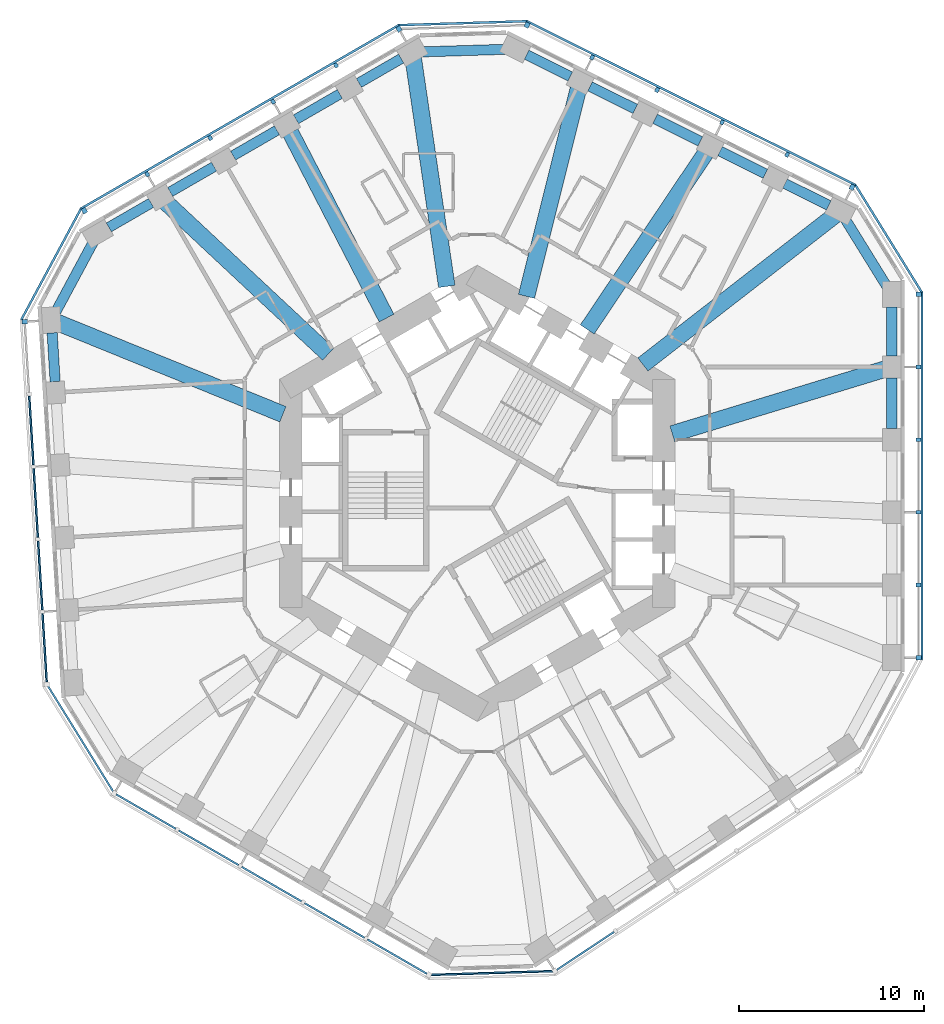
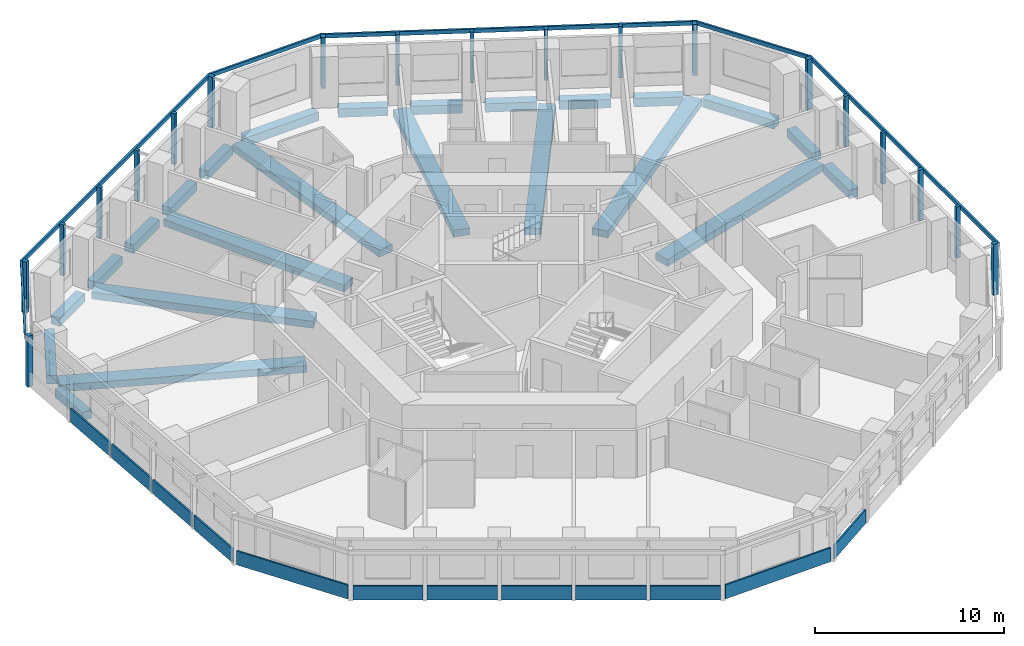
# One storey, part 2 of 12: 25 members, 24 beams, 12 plates, 11 elements without a shape of their own.
"""IFC4 building model written with IfcOpenShell, lengths in metres."""

from ifc_helpers import new_model, si_unit, direction, frame, origin, origin_2d, place, context, subcontext, project, spatial, rectangle, extrude, material, layer, layer_set, material_profile, profile_set, type_object, element, aggregate, save


model = new_model("IFC4")

# Units and contexts
model_context = context("Model", 3, precision=1e-05, world=origin(), true_north=direction((0.0, 1.0)))
body_context = subcontext(model_context, "Body", "Model", "MODEL_VIEW")
ifc_project = project(units=[si_unit("LENGTHUNIT", "METRE"), si_unit("AREAUNIT", "SQUARE_METRE"), si_unit("VOLUMEUNIT", "CUBIC_METRE"), si_unit("PLANEANGLEUNIT", "RADIAN"), si_unit("MASSUNIT", "GRAM", prefix="KILO")], contexts=[model_context])

# Site, building, storey
site_placement = place(None, origin())
site = spatial("IfcSite", under=ifc_project, at=site_placement, CompositionType="ELEMENT")
building_placement = place(site_placement, origin())
building = spatial("IfcBuilding", under=site, at=building_placement, Name="Vanh Sen Convention Tower", CompositionType="ELEMENT")
storey_placement = place(building_placement, frame((0.0, 0.0, 70.39990234375)))
storey = spatial("IfcBuildingStorey", under=building, at=storey_placement, Name="L15", CompositionType="ELEMENT", Elevation=70.39990234375)

# Curtain wall, members
ifc_material_1 = material(Name="Concrete C50/60", Category="concrete")
curtain_wall_type = type_object("IfcCurtainWallType", Name="Outer skin hotel zone", PredefinedType="NOTDEFINED", material=ifc_material_1)
curtain_wall_1_placement = place(storey_placement, origin())
curtain_wall_1 = element("IfcCurtainWall", 1, at=curtain_wall_1_placement, inside=storey, type_object=curtain_wall_type, Name="OUTER SKIN E L15", PredefinedType="NOTDEFINED")
ifc_material_profile_1 = material_profile(ifc_material_1, rectangle(XDim=0.25, YDim=0.300048828125, at=origin_2d()), Name="Outer skin precast corner fin 250 x 300")
ifc_profile_set_1 = profile_set([ifc_material_profile_1], Name="Concrete C50/60")
member_type_1 = type_object("IfcMemberType", Name="Outer skin precast corner fin 250 x 300", PredefinedType="MULLION", material=ifc_profile_set_1)
member_1_placement = place(storey_placement, frame((23.89990234375, -8.899169921875, 0.0), z_axis=(0.0, 0.0, 1.0), x_axis=(0.0, 1.0, 0.0)))
member_1 = element("IfcMember", 2, at=member_1_placement, type_object=member_type_1, Name="OUTER SKIN CORNER FIN 1 E L15", PredefinedType="MULLION", context=body_context, shape_type="SweptSolid", body=[
    extrude(rectangle(XDim=0.25, YDim=0.300048828125, at=origin_2d()), origin(), (0.0, 0.0, 1.0), 3.300048828125),
])
member_2_placement = place(storey_placement, frame((23.89990234375, 10.773681640625, 0.0), z_axis=(0.0, 0.0, 1.0), x_axis=(0.0, 1.0, 0.0)))
member_2 = element("IfcMember", 3, at=member_2_placement, type_object=member_type_1, Name="OUTER SKIN CORNER FIN 6 E L15", PredefinedType="MULLION", context=body_context, shape_type="SweptSolid", body=[
    extrude(rectangle(XDim=0.25, YDim=0.300048828125, at=origin_2d()), origin(), (0.0, 0.0, 1.0), 3.300048828125),
])

curtain_wall_2_placement = place(storey_placement, origin())
curtain_wall_2 = element("IfcCurtainWall", 4, at=curtain_wall_2_placement, inside=storey, type_object=curtain_wall_type, Name="OUTER SKIN NE L15", PredefinedType="NOTDEFINED")
member_3_placement = place(storey_placement, frame((20.305908203125, 16.581787109375, 0.0), z_axis=(0.0, 0.0, 1.0), x_axis=(-0.894934361602, 0.44619781311, 0.0)))
member_3 = element("IfcMember", 5, at=member_3_placement, type_object=member_type_1, Name="OUTER SKIN CORNER FIN 1 NE L15", PredefinedType="MULLION", context=body_context, shape_type="SweptSolid", body=[
    extrude(rectangle(XDim=0.25, YDim=0.300048828125, at=origin_2d()), origin(), (0.0, 0.0, 1.0), 3.300048828125),
])
member_4_placement = place(storey_placement, frame((2.699951171875, 25.35986328125, 0.0), z_axis=(0.0, 0.0, 1.0), x_axis=(-0.894934361602, 0.44619781311, 0.0)))
member_4 = element("IfcMember", 6, at=member_4_placement, type_object=member_type_1, Name="OUTER SKIN CORNER FIN 6 NE L15", PredefinedType="MULLION", context=body_context, shape_type="SweptSolid", body=[
    extrude(rectangle(XDim=0.25, YDim=0.300048828125, at=origin_2d()), origin(), (0.0, 0.0, 1.0), 3.300048828125),
])

curtain_wall_3_placement = place(storey_placement, origin())
curtain_wall_3 = element("IfcCurtainWall", 7, at=curtain_wall_3_placement, inside=storey, type_object=curtain_wall_type, Name="OUTER SKIN NW L15", PredefinedType="NOTDEFINED")
member_5_placement = place(storey_placement, frame((-4.242919921875, 25.147705078125, 0.0), z_axis=(0.0, 0.0, 1.0), x_axis=(-0.866025403784, -0.5, 0.0)))
member_5 = element("IfcMember", 8, at=member_5_placement, type_object=member_type_1, Name="OUTER SKIN CORNER FIN 1 NW L15", PredefinedType="MULLION", context=body_context, shape_type="SweptSolid", body=[
    extrude(rectangle(XDim=0.25, YDim=0.300048828125, at=origin_2d()), origin(), (0.0, 0.0, 1.0), 3.300048828125),
])
member_6_placement = place(storey_placement, frame((-21.2802734375, 15.31103515625, 0.0), z_axis=(0.0, 0.0, 1.0), x_axis=(-0.866025403784, -0.5, 0.0)))
member_6 = element("IfcMember", 9, at=member_6_placement, type_object=member_type_1, Name="OUTER SKIN CORNER FIN 6 NW L15", PredefinedType="MULLION", context=body_context, shape_type="SweptSolid", body=[
    extrude(rectangle(XDim=0.25, YDim=0.300048828125, at=origin_2d()), origin(), (0.0, 0.0, 1.0), 3.300048828125),
])

# Curtain wall, member
curtain_wall_4_placement = place(storey_placement, origin())
curtain_wall_4 = element("IfcCurtainWall", 10, at=curtain_wall_4_placement, inside=storey, type_object=curtain_wall_type, Name="OUTER SKIN W L15", PredefinedType="NOTDEFINED")
member_7_placement = place(storey_placement, frame((-24.51318359375, 9.294677734375, 0.0), z_axis=(0.0, 0.0, 1.0), x_axis=(0.061048539535, -0.998134798422, 0.0)))
member_7 = element("IfcMember", 11, at=member_7_placement, type_object=member_type_1, Name="OUTER SKIN CORNER FIN 1 W L15", PredefinedType="MULLION", context=body_context, shape_type="SweptSolid", body=[
    extrude(rectangle(XDim=0.25, YDim=0.300048828125, at=origin_2d()), origin(), (0.0, 0.0, 1.0), 3.300048828125),
])

# Member
ifc_material_profile_2 = material_profile(ifc_material_1, rectangle(XDim=0.199951171875, YDim=0.25, at=origin_2d()), Name="Outer skin precast fin 200 x 250")
ifc_profile_set_2 = profile_set([ifc_material_profile_2], Name="Concrete C50/60")
member_type_2 = type_object("IfcMemberType", Name="Outer skin precast fin 200 x 250", PredefinedType="MULLION", material=ifc_profile_set_2)
member_8_placement = place(storey_placement, frame((23.89990234375, -4.964599609375, 0.0), z_axis=(0.0, 0.0, 1.0), x_axis=(0.0, 1.0, 0.0)))
member_8 = element("IfcMember", 12, at=member_8_placement, type_object=member_type_2, Name="OUTER SKIN fin 2 E L15", PredefinedType="MULLION", context=body_context, shape_type="SweptSolid", body=[
    extrude(rectangle(XDim=0.199951171875, YDim=0.25, at=origin_2d()), origin(), (0.0, 0.0, 1.0), 3.300048828125),
])

member_9_placement = place(storey_placement, frame((23.89990234375, -1.030029296875, 0.0), z_axis=(0.0, 0.0, 1.0), x_axis=(0.0, 1.0, 0.0)))
member_9 = element("IfcMember", 13, at=member_9_placement, type_object=member_type_2, Name="OUTER SKIN fin 3 E L15", PredefinedType="MULLION", context=body_context, shape_type="SweptSolid", body=[
    extrude(rectangle(XDim=0.199951171875, YDim=0.25, at=origin_2d()), origin(), (0.0, 0.0, 1.0), 3.300048828125),
])

member_10_placement = place(storey_placement, frame((23.89990234375, 2.904541015625, 0.0), z_axis=(0.0, 0.0, 1.0), x_axis=(0.0, 1.0, 0.0)))
member_10 = element("IfcMember", 14, at=member_10_placement, type_object=member_type_2, Name="OUTER SKIN fin 4 E L15", PredefinedType="MULLION", context=body_context, shape_type="SweptSolid", body=[
    extrude(rectangle(XDim=0.199951171875, YDim=0.25, at=origin_2d()), origin(), (0.0, 0.0, 1.0), 3.300048828125),
])

member_11_placement = place(storey_placement, frame((23.89990234375, 6.839111328125, 0.0), z_axis=(0.0, 0.0, 1.0), x_axis=(0.0, 1.0, 0.0)))
member_11 = element("IfcMember", 15, at=member_11_placement, type_object=member_type_2, Name="OUTER SKIN fin 5 E L15", PredefinedType="MULLION", context=body_context, shape_type="SweptSolid", body=[
    extrude(rectangle(XDim=0.199951171875, YDim=0.25, at=origin_2d()), origin(), (0.0, 0.0, 1.0), 3.300048828125),
])

member_12_placement = place(storey_placement, frame((16.78466796875, 18.33740234375, 0.0), z_axis=(0.0, 0.0, 1.0), x_axis=(-0.894934361602, 0.44619781311, 0.0)))
member_12 = element("IfcMember", 16, at=member_12_placement, type_object=member_type_2, Name="OUTER SKIN fin 2 NE L15", PredefinedType="MULLION", context=body_context, shape_type="SweptSolid", body=[
    extrude(rectangle(XDim=0.199951171875, YDim=0.25, at=origin_2d()), origin(), (0.0, 0.0, 1.0), 3.300048828125),
])

member_13_placement = place(storey_placement, frame((13.263427734375, 20.093017578125, 0.0), z_axis=(0.0, 0.0, 1.0), x_axis=(-0.894934361602, 0.44619781311, 0.0)))
member_13 = element("IfcMember", 17, at=member_13_placement, type_object=member_type_2, Name="OUTER SKIN fin 3 NE L15", PredefinedType="MULLION", context=body_context, shape_type="SweptSolid", body=[
    extrude(rectangle(XDim=0.199951171875, YDim=0.25, at=origin_2d()), origin(), (0.0, 0.0, 1.0), 3.300048828125),
])

member_14_placement = place(storey_placement, frame((9.7421875, 21.8486328125, 0.0), z_axis=(0.0, 0.0, 1.0), x_axis=(-0.894934361602, 0.44619781311, 0.0)))
member_14 = element("IfcMember", 18, at=member_14_placement, type_object=member_type_2, Name="OUTER SKIN fin 4 NE L15", PredefinedType="MULLION", context=body_context, shape_type="SweptSolid", body=[
    extrude(rectangle(XDim=0.199951171875, YDim=0.25, at=origin_2d()), origin(), (0.0, 0.0, 1.0), 3.300048828125),
])

member_15_placement = place(storey_placement, frame((6.22119140625, 23.604248046875, 0.0), z_axis=(0.0, 0.0, 1.0), x_axis=(-0.894934361602, 0.44619781311, 0.0)))
member_15 = element("IfcMember", 19, at=member_15_placement, type_object=member_type_2, Name="OUTER SKIN fin 5 NE L15", PredefinedType="MULLION", context=body_context, shape_type="SweptSolid", body=[
    extrude(rectangle(XDim=0.199951171875, YDim=0.25, at=origin_2d()), origin(), (0.0, 0.0, 1.0), 3.300048828125),
])

member_16_placement = place(storey_placement, frame((-7.650390625, 23.180419921875, 0.0), z_axis=(0.0, 0.0, 1.0), x_axis=(-0.866025403784, -0.5, 0.0)))
member_16 = element("IfcMember", 20, at=member_16_placement, type_object=member_type_2, Name="OUTER SKIN fin 2 NW L15", PredefinedType="MULLION", context=body_context, shape_type="SweptSolid", body=[
    extrude(rectangle(XDim=0.199951171875, YDim=0.25, at=origin_2d()), origin(), (0.0, 0.0, 1.0), 3.300048828125),
])

member_17_placement = place(storey_placement, frame((-11.057861328125, 21.212890625, 0.0), z_axis=(0.0, 0.0, 1.0), x_axis=(-0.866025403784, -0.5, 0.0)))
member_17 = element("IfcMember", 21, at=member_17_placement, type_object=member_type_2, Name="OUTER SKIN fin 3 NW L15", PredefinedType="MULLION", context=body_context, shape_type="SweptSolid", body=[
    extrude(rectangle(XDim=0.199951171875, YDim=0.25, at=origin_2d()), origin(), (0.0, 0.0, 1.0), 3.300048828125),
])

member_18_placement = place(storey_placement, frame((-14.46533203125, 19.24560546875, 0.0), z_axis=(0.0, 0.0, 1.0), x_axis=(-0.866025403784, -0.5, 0.0)))
member_18 = element("IfcMember", 22, at=member_18_placement, type_object=member_type_2, Name="OUTER SKIN fin 4 NW L15", PredefinedType="MULLION", context=body_context, shape_type="SweptSolid", body=[
    extrude(rectangle(XDim=0.199951171875, YDim=0.25, at=origin_2d()), origin(), (0.0, 0.0, 1.0), 3.300048828125),
])

member_19_placement = place(storey_placement, frame((-17.872802734375, 17.2783203125, 0.0), z_axis=(0.0, 0.0, 1.0), x_axis=(-0.866025403784, -0.5, 0.0)))
member_19 = element("IfcMember", 23, at=member_19_placement, type_object=member_type_2, Name="OUTER SKIN fin 5 NW L15", PredefinedType="MULLION", context=body_context, shape_type="SweptSolid", body=[
    extrude(rectangle(XDim=0.199951171875, YDim=0.25, at=origin_2d()), origin(), (0.0, 0.0, 1.0), 3.300048828125),
])

ifc_material_profile_3 = material_profile(ifc_material_1, rectangle(XDim=0.1201171875, YDim=0.25, at=origin_2d()), Name="Outer skin precast spandrel band 250 x 120")
ifc_profile_set_3 = profile_set([ifc_material_profile_3], Name="Concrete C50/60")
member_type_3 = type_object("IfcMemberType", Name="Outer skin precast spandrel band 250 x 120", PredefinedType="USERDEFINED", material=ifc_profile_set_3)
member_20_placement = place(storey_placement, frame((24.0849609375, -9.024169921875, 3.175048828125), z_axis=(0.0, 1.0, 0.0), x_axis=(-1.0, 0.0, 0.0)))
member_20 = element("IfcMember", 24, at=member_20_placement, type_object=member_type_3, Name="OUTER SKIN spandrel band E L15", ObjectType="TRANSOM", PredefinedType="USERDEFINED", context=body_context, shape_type="SweptSolid", body=[
    extrude(rectangle(XDim=0.1201171875, YDim=0.25, at=origin_2d()), origin(), (0.0, 0.0, 1.0), 19.9228515625),
])

aggregate(curtain_wall_1, [member_1, member_8, member_9, member_10, member_11, member_2, member_20])

# Curtain wall, member
curtain_wall_5_placement = place(storey_placement, origin())
curtain_wall_5 = element("IfcCurtainWall", 25, at=curtain_wall_5_placement, inside=storey, type_object=curtain_wall_type, Name="OUTER SKIN CH1 L15", PredefinedType="NOTDEFINED")
member_21_placement = place(storey_placement, frame((24.07861328125, 10.88427734375, 3.175048828125), z_axis=(-0.526195864379, 0.850363400148, 0.0), x_axis=(-0.850363400148, -0.526195864379, 0.0)))
member_21 = element("IfcMember", 26, at=member_21_placement, type_object=member_type_3, Name="OUTER SKIN spandrel band CH1 L15", ObjectType="TRANSOM", PredefinedType="USERDEFINED", context=body_context, shape_type="SweptSolid", body=[
    extrude(rectangle(XDim=0.1201171875, YDim=0.25, at=origin_2d()), origin(), (0.0, 0.0, 1.0), 6.830078125),
])
aggregate(curtain_wall_5, [member_21])

# Member
member_22_placement = place(storey_placement, frame((20.500244140625, 16.69140625, 3.175048828125), z_axis=(-0.894931498167, 0.446203556227, 0.0), x_axis=(-0.446203556227, -0.894931498167, 0.0)))
member_22 = element("IfcMember", 27, at=member_22_placement, type_object=member_type_3, Name="OUTER SKIN spandrel band NE L15", ObjectType="TRANSOM", PredefinedType="USERDEFINED", context=body_context, shape_type="SweptSolid", body=[
    extrude(rectangle(XDim=0.1201171875, YDim=0.25, at=origin_2d()), origin(), (0.0, 0.0, 1.0), 19.9228515625),
])

aggregate(curtain_wall_2, [member_3, member_12, member_13, member_14, member_15, member_4, member_22])

# Curtain wall, member
curtain_wall_6_placement = place(storey_placement, origin())
curtain_wall_6 = element("IfcCurtainWall", 28, at=curtain_wall_6_placement, inside=storey, type_object=curtain_wall_type, Name="OUTER SKIN CH2 L15", PredefinedType="NOTDEFINED")
member_23_placement = place(storey_placement, frame((2.693603515625, 25.569580078125, 3.175048828125), z_axis=(-0.999533472857, -0.030542374483, 0.0), x_axis=(0.030542374483, -0.999533472857, 0.0)))
member_23 = element("IfcMember", 29, at=member_23_placement, type_object=member_type_3, Name="OUTER SKIN spandrel band CH2 L15", ObjectType="TRANSOM", PredefinedType="USERDEFINED", context=body_context, shape_type="SweptSolid", body=[
    extrude(rectangle(XDim=0.1201171875, YDim=0.25, at=origin_2d()), origin(), (0.0, 0.0, 1.0), 6.9462890625),
])
aggregate(curtain_wall_6, [member_23])

# Member
member_24_placement = place(storey_placement, frame((-4.227294921875, 25.370361328125, 3.175048828125), z_axis=(-0.866028047459, -0.499995420993, 0.0), x_axis=(0.499995420993, -0.866028047459, 0.0)))
member_24 = element("IfcMember", 30, at=member_24_placement, type_object=member_type_3, Name="OUTER SKIN spandrel band NW L15", ObjectType="TRANSOM", PredefinedType="USERDEFINED", context=body_context, shape_type="SweptSolid", body=[
    extrude(rectangle(XDim=0.1201171875, YDim=0.25, at=origin_2d()), origin(), (0.0, 0.0, 1.0), 19.923095703125),
])

aggregate(curtain_wall_3, [member_5, member_16, member_17, member_18, member_19, member_6, member_24])

# Curtain wall, member
curtain_wall_7_placement = place(storey_placement, origin())
curtain_wall_7 = element("IfcCurtainWall", 31, at=curtain_wall_7_placement, inside=storey, type_object=curtain_wall_type, Name="OUTER SKIN CH3 L15", PredefinedType="NOTDEFINED")
member_25_placement = place(storey_placement, frame((-21.46533203125, 15.410400390625, 3.175048828125), z_axis=(-0.473315186561, -0.880893145717, 0.0), x_axis=(0.880893145717, -0.473315186561, 0.0)))
member_25 = element("IfcMember", 32, at=member_25_placement, type_object=member_type_3, Name="OUTER SKIN spandrel band CH3 L15", ObjectType="TRANSOM", PredefinedType="USERDEFINED", context=body_context, shape_type="SweptSolid", body=[
    extrude(rectangle(XDim=0.1201171875, YDim=0.25, at=origin_2d()), origin(), (0.0, 0.0, 1.0), 6.829833984375),
])
aggregate(curtain_wall_7, [member_25])

# Beams
ifc_material_2 = material(Name="Concrete C50/60", Category="concrete")
ifc_material_profile_4 = material_profile(ifc_material_2, rectangle(XDim=0.89990234375, YDim=0.449951171875, at=origin_2d()), Name="RC 900X450")
ifc_profile_set_4 = profile_set([ifc_material_profile_4], Name="Concrete C50/60")
beam_type_1 = type_object("IfcBeamType", Name="Radial floor beam 900 x 450", PredefinedType="BEAM", material=ifc_profile_set_4)
beam_1_placement = place(storey_placement, frame((22.0859375, 6.728271484375, -0.474853515625), z_axis=(-0.956595291153, -0.291419712689, 0.0), x_axis=(0.291419712689, -0.956595291153, 0.0)))
element("IfcBeam", 33, at=beam_1_placement, inside=storey, type_object=beam_type_1, Name="Radial beam 03 L15", PredefinedType="BEAM", context=body_context, shape_type="SweptSolid", body=[
    extrude(rectangle(XDim=0.89990234375, YDim=0.449951171875, at=origin_2d()), origin(), (0.0, 0.0, 1.0), 12.04443359375),
])
beam_2_placement = place(storey_placement, frame((19.3955078125, 15.079345703125, -0.474853515625), z_axis=(-0.789464705625, -0.61379595842, 0.0), x_axis=(0.61379595842, -0.789464705625, 0.0)))
element("IfcBeam", 34, at=beam_2_placement, inside=storey, type_object=beam_type_1, Name="Radial beam 04 L15", PredefinedType="BEAM", context=body_context, shape_type="SweptSolid", body=[
    extrude(rectangle(XDim=0.89990234375, YDim=0.449951171875, at=origin_2d()), origin(), (0.0, 0.0, 1.0), 13.204345703125),
])
beam_3_placement = place(storey_placement, frame((12.37060546875, 18.42919921875, -0.474853515625), z_axis=(-0.557321786786, -0.830296589162, 0.0), x_axis=(0.830296589162, -0.557321786786, 0.0)))
element("IfcBeam", 35, at=beam_3_placement, inside=storey, type_object=beam_type_1, Name="Radial beam 05 L15", PredefinedType="BEAM", context=body_context, shape_type="SweptSolid", body=[
    extrude(rectangle(XDim=0.89990234375, YDim=0.449951171875, at=origin_2d()), origin(), (0.0, 0.0, 1.0), 11.507080078125),
])
beam_4_placement = place(storey_placement, frame((5.475341796875, 21.9111328125, -0.474853515625), z_axis=(-0.242431531098, -0.970168517697, 0.0), x_axis=(0.970168517697, -0.242431531098, 0.0)))
element("IfcBeam", 36, at=beam_4_placement, inside=storey, type_object=beam_type_1, Name="Radial beam 06 L15", PredefinedType="BEAM", context=body_context, shape_type="SweptSolid", body=[
    extrude(rectangle(XDim=0.89990234375, YDim=0.449951171875, at=origin_2d()), origin(), (0.0, 0.0, 1.0), 11.589111328125),
])
beam_5_placement = place(storey_placement, frame((-3.46630859375, 23.541259765625, -0.474853515625), z_axis=(0.145680012358, -0.989331761342, 0.0), x_axis=(0.989331761342, 0.145680012358, 0.0)))
element("IfcBeam", 37, at=beam_5_placement, inside=storey, type_object=beam_type_1, Name="Radial beam 07 L15", PredefinedType="BEAM", context=body_context, shape_type="SweptSolid", body=[
    extrude(rectangle(XDim=0.89990234375, YDim=0.449951171875, at=origin_2d()), origin(), (0.0, 0.0, 1.0), 12.468505859375),
])
beam_6_placement = place(storey_placement, frame((-10.114501953125, 19.53564453125, -0.474853515625), z_axis=(0.459772199707, -0.88803689359, 0.0), x_axis=(0.88803689359, 0.459772199707, 0.0)))
element("IfcBeam", 38, at=beam_6_placement, inside=storey, type_object=beam_type_1, Name="Radial beam 08 L15", PredefinedType="BEAM", context=body_context, shape_type="SweptSolid", body=[
    extrude(rectangle(XDim=0.89990234375, YDim=0.449951171875, at=origin_2d()), origin(), (0.0, 0.0, 1.0), 11.31298828125),
])
beam_7_placement = place(storey_placement, frame((-16.869873046875, 15.762939453125, -0.474853515625), z_axis=(0.730668926441, -0.68273195321, 0.0), x_axis=(0.68273195321, 0.730668926441, 0.0)))
element("IfcBeam", 39, at=beam_7_placement, inside=storey, type_object=beam_type_1, Name="Radial beam 09 L15", PredefinedType="BEAM", context=body_context, shape_type="SweptSolid", body=[
    extrude(rectangle(XDim=0.89990234375, YDim=0.449951171875, at=origin_2d()), origin(), (0.0, 0.0, 1.0), 12.044921875),
])
beam_8_placement = place(storey_placement, frame((-22.7568359375, 9.25732421875, -0.474853515625), z_axis=(0.926294416538, -0.376800549216, 0.0), x_axis=(0.376800549216, 0.926294416538, 0.0)))
element("IfcBeam", 40, at=beam_8_placement, inside=storey, type_object=beam_type_1, Name="Radial beam 10 L15", PredefinedType="BEAM", context=body_context, shape_type="SweptSolid", body=[
    extrude(rectangle(XDim=0.89990234375, YDim=0.449951171875, at=origin_2d()), origin(), (0.0, 0.0, 1.0), 13.2041015625),
])
ifc_material_profile_5 = material_profile(ifc_material_2, rectangle(XDim=0.550048828125, YDim=0.550048828125, at=origin_2d()), Name="RC 550X550")
ifc_profile_set_5 = profile_set([ifc_material_profile_5], Name="Concrete C50/60")
beam_type_2 = type_object("IfcBeamType", Name="Spandrel beam 550 x 550", PredefinedType="SPANDREL", material=ifc_profile_set_5)
beam_9_placement = place(storey_placement, frame((22.449951171875, 3.49951171875, -0.52490234375), z_axis=(0.0, 1.0, 0.0), x_axis=(-1.0, 0.0, 0.0)))
element("IfcBeam", 41, at=beam_9_placement, inside=storey, type_object=beam_type_2, Name="Spandrel beam 04 L15", PredefinedType="SPANDREL", context=body_context, shape_type="SweptSolid", body=[
    extrude(rectangle(XDim=0.550048828125, YDim=0.550048828125, at=origin_2d()), origin(), (0.0, 0.0, 1.0), 2.74462890625),
])
beam_10_placement = place(storey_placement, frame((22.449951171875, 7.43408203125, -0.52490234375), z_axis=(0.0, 1.0, 0.0), x_axis=(-1.0, 0.0, 0.0)))
element("IfcBeam", 42, at=beam_10_placement, inside=storey, type_object=beam_type_2, Name="Spandrel beam 05 L15", PredefinedType="SPANDREL", context=body_context, shape_type="SweptSolid", body=[
    extrude(rectangle(XDim=0.550048828125, YDim=0.550048828125, at=origin_2d()), origin(), (0.0, 0.0, 1.0), 2.64453125),
])
beam_11_placement = place(storey_placement, frame((22.1865234375, 11.199462890625, -0.52490234375), z_axis=(-0.526204199605, 0.850358242342, 0.0), x_axis=(-0.850358242342, -0.526204199605, 0.0)))
element("IfcBeam", 43, at=beam_11_placement, inside=storey, type_object=beam_type_2, Name="Spandrel beam 06 L15", PredefinedType="SPANDREL", context=body_context, shape_type="SweptSolid", body=[
    extrude(rectangle(XDim=0.550048828125, YDim=0.550048828125, at=origin_2d()), origin(), (0.0, 0.0, 1.0), 4.302734375),
])
beam_12_placement = place(storey_placement, frame((19.036865234375, 15.59423828125, -0.52490234375), z_axis=(-0.894943581597, 0.446179320183, 0.0), x_axis=(-0.446179320183, -0.894943581597, 0.0)))
element("IfcBeam", 44, at=beam_12_placement, inside=storey, type_object=beam_type_2, Name="Spandrel beam 07 L15", PredefinedType="SPANDREL", context=body_context, shape_type="SweptSolid", body=[
    extrude(rectangle(XDim=0.550048828125, YDim=0.550048828125, at=origin_2d()), origin(), (0.0, 0.0, 1.0), 2.64453125),
])
for number, where, z_axis, x_axis, name in (
    (45, (15.605224609375, 17.30517578125, -0.52490234375), (-0.894942515368, 0.44618145881, 0.0), (-0.44618145881, -0.894942515368, 0.0), "Spandrel beam 08 L15"),
    (46, (12.083984375, 19.060791015625, -0.52490234375), (-0.894942515368, 0.44618145881, 0.0), (-0.44618145881, -0.894942515368, 0.0), "Spandrel beam 09 L15"),
):
    element("IfcBeam", number, at=place(storey_placement, frame(where, z_axis=z_axis, x_axis=x_axis)), inside=storey, type_object=beam_type_2, Name=name, PredefinedType="SPANDREL", context=body_context, shape_type="SweptSolid", body=[
        extrude(rectangle(XDim=0.550048828125, YDim=0.550048828125, at=origin_2d()), origin(), (0.0, 0.0, 1.0), 2.74462890625),
    ])
beam_13_placement = place(storey_placement, frame((8.562744140625, 20.81640625, -0.52490234375), z_axis=(-0.894924804947, 0.44621698028, 0.0), x_axis=(-0.44621698028, -0.894924804947, 0.0)))
element("IfcBeam", 47, at=beam_13_placement, inside=storey, type_object=beam_type_2, Name="Spandrel beam 10 L15", PredefinedType="SPANDREL", context=body_context, shape_type="SweptSolid", body=[
    extrude(rectangle(XDim=0.550048828125, YDim=0.550048828125, at=origin_2d()), origin(), (0.0, 0.0, 1.0), 2.744384765625),
])
beam_14_placement = place(storey_placement, frame((5.04150390625, 22.572021484375, -0.52490234375), z_axis=(-0.894943581597, 0.446179320183, 0.0), x_axis=(-0.446179320183, -0.894943581597, 0.0)))
element("IfcBeam", 48, at=beam_14_placement, inside=storey, type_object=beam_type_2, Name="Spandrel beam 11 L15", PredefinedType="SPANDREL", context=body_context, shape_type="SweptSolid", body=[
    extrude(rectangle(XDim=0.550048828125, YDim=0.550048828125, at=origin_2d()), origin(), (0.0, 0.0, 1.0), 2.64453125),
])
beam_15_placement = place(storey_placement, frame((1.513671875, 24.045654296875, -0.52490234375), z_axis=(-0.999533924707, -0.030527583592, 0.0), x_axis=(0.030527583592, -0.999533924707, 0.0)))
element("IfcBeam", 49, at=beam_15_placement, inside=storey, type_object=beam_type_2, Name="Spandrel beam 12 L15", PredefinedType="SPANDREL", context=body_context, shape_type="SweptSolid", body=[
    extrude(rectangle(XDim=0.550048828125, YDim=0.550048828125, at=origin_2d()), origin(), (0.0, 0.0, 1.0), 4.49462890625),
])
beam_16_placement = place(storey_placement, frame((-4.119873046875, 23.54443359375, -0.52490234375), z_axis=(-0.866030315638, -0.499991492324, 0.0), x_axis=(0.499991492324, -0.866030315638, 0.0)))
element("IfcBeam", 50, at=beam_16_placement, inside=storey, type_object=beam_type_2, Name="Spandrel beam 13 L15", PredefinedType="SPANDREL", context=body_context, shape_type="SweptSolid", body=[
    extrude(rectangle(XDim=0.550048828125, YDim=0.550048828125, at=origin_2d()), origin(), (0.0, 0.0, 1.0), 2.64453125),
])
beam_17_placement = place(storey_placement, frame((-7.44091796875, 21.627197265625, -0.52490234375), z_axis=(-0.866006330792, -0.500033033937, 0.0), x_axis=(0.500033033937, -0.866006330792, 0.0)))
element("IfcBeam", 51, at=beam_17_placement, inside=storey, type_object=beam_type_2, Name="Spandrel beam 14 L15", PredefinedType="SPANDREL", context=body_context, shape_type="SweptSolid", body=[
    extrude(rectangle(XDim=0.550048828125, YDim=0.550048828125, at=origin_2d()), origin(), (0.0, 0.0, 1.0), 2.744384765625),
])
for number, where, z_axis, x_axis, name in (
    (52, (-10.84814453125, 19.659912109375, -0.52490234375), (-0.866028570666, -0.499994514761, 0.0), (0.499994514761, -0.866028570666, 0.0), "Spandrel beam 15 L15"),
    (53, (-14.255615234375, 17.6923828125, -0.52490234375), (-0.866067086513, -0.499927796446, 0.0), (0.499927796446, -0.866067086513, 0.0), "Spandrel beam 16 L15"),
):
    element("IfcBeam", number, at=place(storey_placement, frame(where, z_axis=z_axis, x_axis=x_axis)), inside=storey, type_object=beam_type_2, Name=name, PredefinedType="SPANDREL", context=body_context, shape_type="SweptSolid", body=[
        extrude(rectangle(XDim=0.550048828125, YDim=0.550048828125, at=origin_2d()), origin(), (0.0, 0.0, 1.0), 2.74462890625),
    ])
beam_18_placement = place(storey_placement, frame((-17.6630859375, 15.72509765625, -0.52490234375), z_axis=(-0.866030315638, -0.499991492324, 0.0), x_axis=(0.499991492324, -0.866030315638, 0.0)))
element("IfcBeam", 54, at=beam_18_placement, inside=storey, type_object=beam_type_2, Name="Spandrel beam 17 L15", PredefinedType="SPANDREL", context=body_context, shape_type="SweptSolid", body=[
    extrude(rectangle(XDim=0.550048828125, YDim=0.550048828125, at=origin_2d()), origin(), (0.0, 0.0, 1.0), 2.64453125),
])
beam_19_placement = place(storey_placement, frame((-20.792236328125, 13.6142578125, -0.52490234375), z_axis=(-0.473348459073, -0.88087526716, 0.0), x_axis=(0.88087526716, -0.473348459073, 0.0)))
element("IfcBeam", 55, at=beam_19_placement, inside=storey, type_object=beam_type_2, Name="Spandrel beam 18 L15", PredefinedType="SPANDREL", context=body_context, shape_type="SweptSolid", body=[
    extrude(rectangle(XDim=0.550048828125, YDim=0.550048828125, at=origin_2d()), origin(), (0.0, 0.0, 1.0), 4.302490234375),
])
beam_20_placement = place(storey_placement, frame((-23.0234375, 8.689453125, -0.52490234375), z_axis=(0.061113817246, -0.998130803723, 0.0), x_axis=(0.998130803723, 0.061113817246, 0.0)))
element("IfcBeam", 56, at=beam_20_placement, inside=storey, type_object=beam_type_2, Name="Spandrel beam 19 L15", PredefinedType="SPANDREL", context=body_context, shape_type="SweptSolid", body=[
    extrude(rectangle(XDim=0.550048828125, YDim=0.550048828125, at=origin_2d()), origin(), (0.0, 0.0, 1.0), 2.64453125),
])

# Plate
ifc_layer = layer(ifc_material_1, 0.10009765625)
ifc_layer_set = layer_set([ifc_layer], Name="Concrete C50/60")
plate_type = type_object("IfcPlateType", Name="Outer skin precast screen panel 100", PredefinedType="CURTAIN_PANEL", material=ifc_layer_set)
plate_1_placement = place(storey_placement, frame((-24.15283203125, 3.40380859375, 0.000244140625), z_axis=(0.0, 0.0, 1.0), x_axis=(0.061048539535, -0.998134798422, 0.0)))
plate_1 = element("IfcPlate", 57, at=plate_1_placement, type_object=plate_type, Name="OUTER SKIN screen panel W-2", PredefinedType="CURTAIN_PANEL", context=body_context, shape_type="SweptSolid", body=[
    extrude(rectangle(XDim=3.734619140625, YDim=0.10009765625, at=origin_2d()), origin(), (0.0, 0.0, 1.0), 0.89990234375),
])

plate_2_placement = place(storey_placement, frame((-23.91259765625, -0.523681640625, 0.000244140625), z_axis=(0.0, 0.0, 1.0), x_axis=(0.061046797461, -0.99813490497, 0.0)))
plate_2 = element("IfcPlate", 58, at=plate_2_placement, type_object=plate_type, Name="OUTER SKIN screen panel W-3", PredefinedType="CURTAIN_PANEL", context=body_context, shape_type="SweptSolid", body=[
    extrude(rectangle(XDim=3.734619140625, YDim=0.10009765625, at=origin_2d()), origin(), (0.0, 0.0, 1.0), 0.89990234375),
])

plate_3_placement = place(storey_placement, frame((-23.67236328125, -4.45068359375, 0.000244140625), z_axis=(0.0, 0.0, 1.0), x_axis=(0.061048539535, -0.998134798422, 0.0)))
plate_3 = element("IfcPlate", 59, at=plate_3_placement, type_object=plate_type, Name="OUTER SKIN screen panel W-4", PredefinedType="CURTAIN_PANEL", context=body_context, shape_type="SweptSolid", body=[
    extrude(rectangle(XDim=3.734619140625, YDim=0.10009765625, at=origin_2d()), origin(), (0.0, 0.0, 1.0), 0.89990234375),
])

plate_4_placement = place(storey_placement, frame((-23.43310546875, -8.365478515625, 0.000244140625), z_axis=(0.0, 0.0, 1.0), x_axis=(0.061046797461, -0.99813490497, 0.0)))
plate_4 = element("IfcPlate", 60, at=plate_4_placement, type_object=plate_type, Name="OUTER SKIN screen panel W-5", PredefinedType="CURTAIN_PANEL", context=body_context, shape_type="SweptSolid", body=[
    extrude(rectangle(XDim=3.709716796875, YDim=0.10009765625, at=origin_2d()), origin(), (0.0, 0.0, 1.0), 0.89990234375),
])

aggregate(curtain_wall_4, [member_7, plate_1, plate_2, plate_3, plate_4])

# Curtain wall, plate
curtain_wall_8_placement = place(storey_placement, origin())
curtain_wall_8 = element("IfcCurtainWall", 61, at=curtain_wall_8_placement, inside=storey, type_object=curtain_wall_type, Name="OUTER SKIN CH4 L15", PredefinedType="NOTDEFINED")
plate_5_placement = place(storey_placement, frame((-21.484619140625, -13.295166015625, 0.000244140625), z_axis=(0.0, 0.0, 1.0), x_axis=(0.526205018755, -0.850357735448, 0.0)))
plate_5 = element("IfcPlate", 62, at=plate_5_placement, type_object=plate_type, Name="OUTER SKIN screen panel CH4-1", PredefinedType="CURTAIN_PANEL", context=body_context, shape_type="SweptSolid", body=[
    extrude(rectangle(XDim=6.6962890625, YDim=0.10009765625, at=origin_2d()), origin(), (0.0, 0.0, 1.0), 0.89990234375),
])
aggregate(curtain_wall_8, [plate_5])

# Curtain wall, plates
curtain_wall_9_placement = place(storey_placement, origin())
curtain_wall_9 = element("IfcCurtainWall", 63, at=curtain_wall_9_placement, inside=storey, type_object=curtain_wall_type, Name="OUTER SKIN SW L15", PredefinedType="NOTDEFINED")
plate_6_placement = place(storey_placement, frame((-17.9423828125, -17.23828125, 0.000244140625), z_axis=(0.0, 0.0, 1.0), x_axis=(0.866028021766, -0.499995465495, 0.0)))
plate_6 = element("IfcPlate", 64, at=plate_6_placement, type_object=plate_type, Name="OUTER SKIN screen panel SW-1", PredefinedType="CURTAIN_PANEL", context=body_context, shape_type="SweptSolid", body=[
    extrude(rectangle(XDim=3.709716796875, YDim=0.10009765625, at=origin_2d()), origin(), (0.0, 0.0, 1.0), 0.89990234375),
])
plate_7_placement = place(storey_placement, frame((-14.5458984375, -19.19921875, 0.000244140625), z_axis=(0.0, 0.0, 1.0), x_axis=(0.866032385017, -0.499987907955, 0.0)))
plate_7 = element("IfcPlate", 65, at=plate_7_placement, type_object=plate_type, Name="OUTER SKIN screen panel SW-2", PredefinedType="CURTAIN_PANEL", context=body_context, shape_type="SweptSolid", body=[
    extrude(rectangle(XDim=3.734619140625, YDim=0.10009765625, at=origin_2d()), origin(), (0.0, 0.0, 1.0), 0.89990234375),
])
plate_8_placement = place(storey_placement, frame((-11.138427734375, -21.16650390625, 0.000244140625), z_axis=(0.0, 0.0, 1.0), x_axis=(0.866028021766, -0.499995465495, 0.0)))
plate_8 = element("IfcPlate", 66, at=plate_8_placement, type_object=plate_type, Name="OUTER SKIN screen panel SW-3", PredefinedType="CURTAIN_PANEL", context=body_context, shape_type="SweptSolid", body=[
    extrude(rectangle(XDim=3.734619140625, YDim=0.10009765625, at=origin_2d()), origin(), (0.0, 0.0, 1.0), 0.89990234375),
])
plate_9_placement = place(storey_placement, frame((-7.73095703125, -23.1337890625, 0.000244140625), z_axis=(0.0, 0.0, 1.0), x_axis=(0.866028021766, -0.499995465495, 0.0)))
plate_9 = element("IfcPlate", 67, at=plate_9_placement, type_object=plate_type, Name="OUTER SKIN screen panel SW-4", PredefinedType="CURTAIN_PANEL", context=body_context, shape_type="SweptSolid", body=[
    extrude(rectangle(XDim=3.734619140625, YDim=0.10009765625, at=origin_2d()), origin(), (0.0, 0.0, 1.0), 0.89990234375),
])
plate_10_placement = place(storey_placement, frame((-4.334228515625, -25.094970703125, 0.000244140625), z_axis=(0.0, 0.0, 1.0), x_axis=(0.866021040428, -0.500007557478, 0.0)))
plate_10 = element("IfcPlate", 68, at=plate_10_placement, type_object=plate_type, Name="OUTER SKIN screen panel SW-5", PredefinedType="CURTAIN_PANEL", context=body_context, shape_type="SweptSolid", body=[
    extrude(rectangle(XDim=3.70947265625, YDim=0.10009765625, at=origin_2d()), origin(), (0.0, 0.0, 1.0), 0.89990234375),
])
aggregate(curtain_wall_9, [plate_6, plate_7, plate_8, plate_9, plate_10])

# Curtain wall, plate
curtain_wall_10_placement = place(storey_placement, origin())
curtain_wall_10 = element("IfcCurtainWall", 69, at=curtain_wall_10_placement, inside=storey, type_object=curtain_wall_type, Name="OUTER SKIN CH5 L15", PredefinedType="NOTDEFINED")
plate_11_placement = place(storey_placement, frame((0.793701171875, -25.98046875, 0.000244140625), z_axis=(0.0, 0.0, 1.0), x_axis=(0.999533484231, 0.03054200224, 0.0)))
plate_11 = element("IfcPlate", 70, at=plate_11_placement, type_object=plate_type, Name="OUTER SKIN screen panel CH5-1", PredefinedType="CURTAIN_PANEL", context=body_context, shape_type="SweptSolid", body=[
    extrude(rectangle(XDim=6.580078125, YDim=0.10009765625, at=origin_2d()), origin(), (0.0, 0.0, 1.0), 0.89990234375),
])
aggregate(curtain_wall_10, [plate_11])

curtain_wall_11_placement = place(storey_placement, origin())
curtain_wall_11 = element("IfcCurtainWall", 71, at=curtain_wall_11_placement, inside=storey, type_object=curtain_wall_type, Name="OUTER SKIN SE L15", PredefinedType="NOTDEFINED")
plate_12_placement = place(storey_placement, frame((5.858154296875, -24.783447265625, 0.000244140625), z_axis=(0.0, 0.0, 1.0), x_axis=(0.833891601892, 0.55192825285, 0.0)))
plate_12 = element("IfcPlate", 72, at=plate_12_placement, type_object=plate_type, Name="OUTER SKIN screen panel SE-1", PredefinedType="CURTAIN_PANEL", context=body_context, shape_type="SweptSolid", body=[
    extrude(rectangle(XDim=3.709716796875, YDim=0.10009765625, at=origin_2d()), origin(), (0.0, 0.0, 1.0), 0.89990234375),
])
aggregate(curtain_wall_11, [plate_12])

save(model, "model.ifc")
